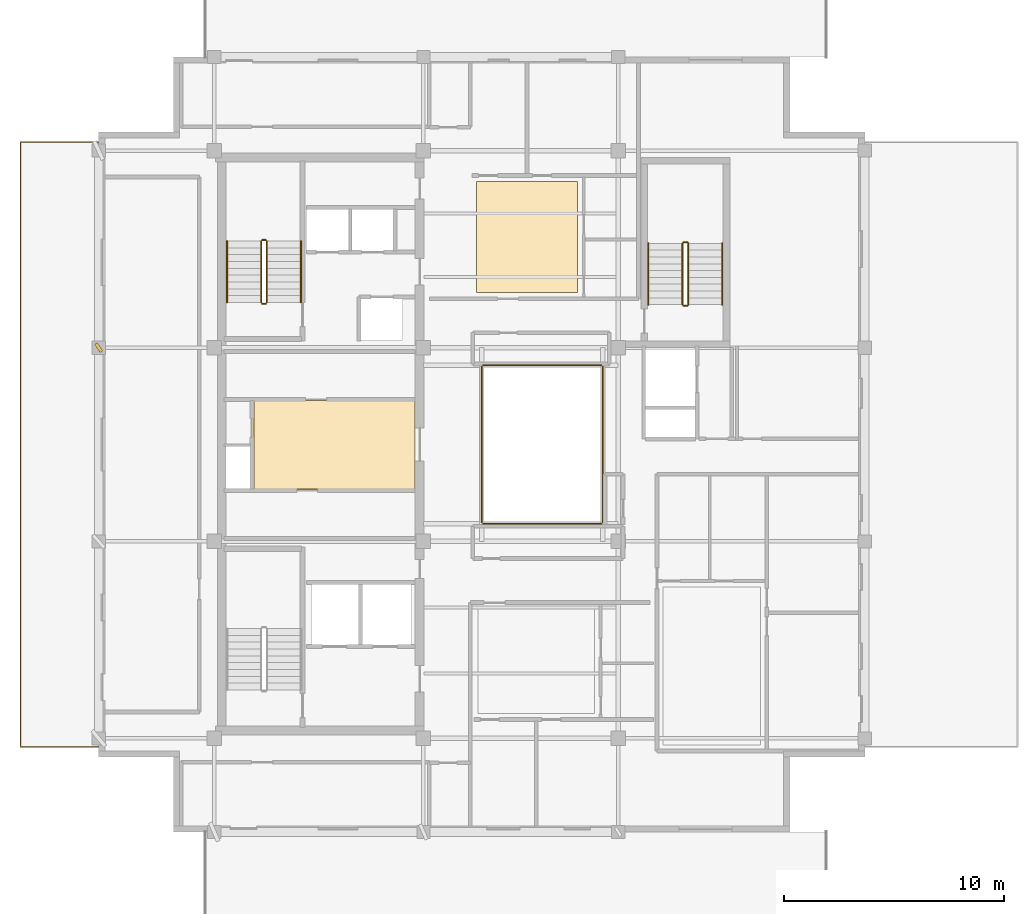
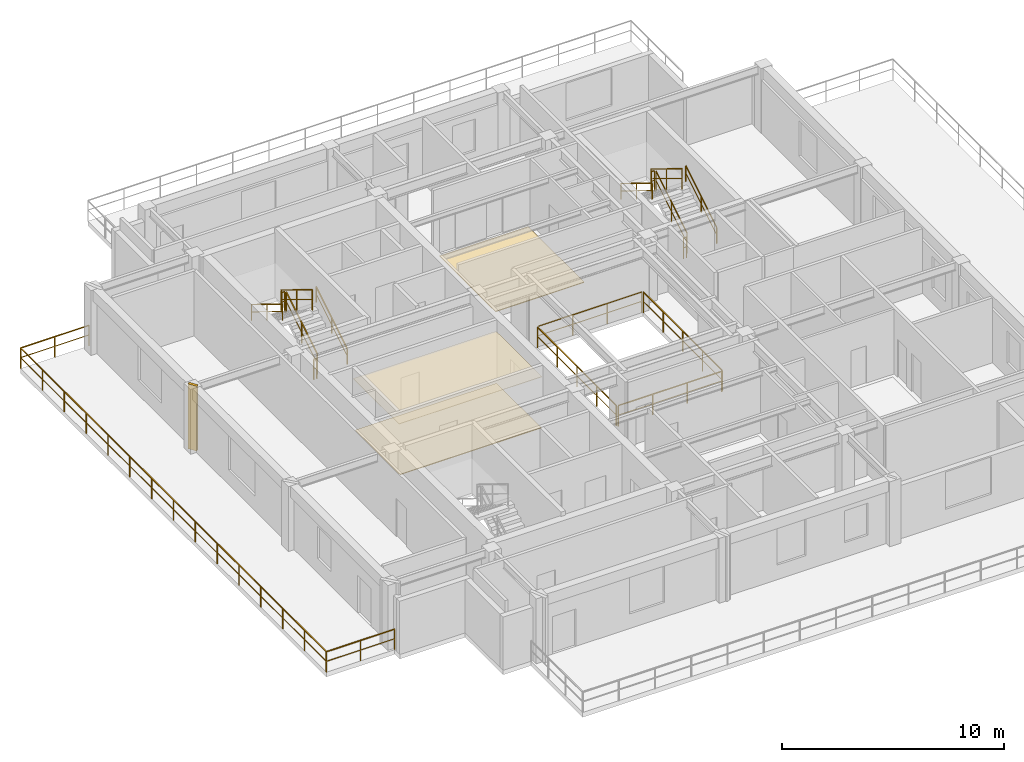
# One storey, part 8 of 9: 17 railings, 3 coverings, 1 shading device.
"""IFC4 building model written with IfcOpenShell, lengths in metres."""

from ifc_helpers import new_model, si_unit, direction, frame, origin, origin_2d, place, context, subcontext, project, spatial, polyline, rectangle, outline, extrude, material, layer, layer_set, type_object, element, save


model = new_model("IFC4")

# Units and contexts
model_context = context("Model", 3, precision=1e-05, world=origin(), true_north=direction((0.0, 1.0)))
body_context = subcontext(model_context, "Body", "Model", "MODEL_VIEW")
ifc_project = project(units=[si_unit("LENGTHUNIT", "METRE"), si_unit("AREAUNIT", "SQUARE_METRE"), si_unit("VOLUMEUNIT", "CUBIC_METRE"), si_unit("PLANEANGLEUNIT", "RADIAN"), si_unit("MASSUNIT", "GRAM", prefix="KILO")], contexts=[model_context])

# Site, building, storey
site_placement = place(None, origin())
site = spatial("IfcSite", under=ifc_project, at=site_placement, CompositionType="ELEMENT")
building_placement = place(site_placement, origin())
building = spatial("IfcBuilding", under=site, at=building_placement, Name="Kundavana Baori Tower", CompositionType="ELEMENT")
storey_placement = place(building_placement, frame((0.0, 0.0, 327.699951171875)))
storey = spatial("IfcBuildingStorey", under=building, at=storey_placement, Name="L81", CompositionType="ELEMENT", Elevation=327.699951171875)

# Coverings
ifc_material_1 = material(Name="Honed Kota Stone and Terrazzo Flooring", Category="masonry")
ifc_layer_1 = layer(ifc_material_1, 0.0400390625, Name="COV-FLR-TERR-40")
ifc_layer_set_1 = layer_set([ifc_layer_1], Name="Honed Kota Stone and Terrazzo Flooring")
covering_type_1 = type_object("IfcCoveringType", Name="COV-FLR-TERR-40", PredefinedType="FLOORING", material=ifc_layer_set_1)
covering_1_placement = place(storey_placement, origin())
element("IfcCovering", 1, at=covering_1_placement, inside=storey, type_object=covering_type_1, Name="L81 Room Finished Stone Flooring 2", PredefinedType="FLOORING", context=body_context, shape_type="SweptSolid", body=[
    extrude(outline(polyline([(27.360107421875, 35.5), (31.9599609375, 35.5), (31.9599609375, 40.5400390625), (27.360107421875, 40.5400390625), (27.360107421875, 35.5)])), origin(), (0.0, 0.0, 1.0), 0.0400390625),
])
covering_2_placement = place(storey_placement, origin())
element("IfcCovering", 2, at=covering_2_placement, inside=storey, type_object=covering_type_1, Name="L81 Core Lift Lobby Kota Stone Flooring", PredefinedType="FLOORING", context=body_context, shape_type="SweptSolid", body=[
    extrude(outline(polyline([(17.25, 26.580078125), (24.580078125, 26.580078125), (24.580078125, 30.60009765625), (17.25, 30.60009765625), (17.25, 26.580078125)])), origin(), (0.0, 0.0, 1.0), 0.0400390625),
])
ifc_material_2 = material(Name="Perforated Acoustic Mineral Fibre Ceiling Board")
ifc_layer_2 = layer(ifc_material_2, 0.02490234375, Name="COV-INT-CEIL")
ifc_layer_set_2 = layer_set([ifc_layer_2], Name="Perforated Acoustic Mineral Fibre Ceiling Board")
covering_type_2 = type_object("IfcCoveringType", Name="COV-INT-CEIL", PredefinedType="CEILING", material=ifc_layer_set_2)
covering_3_placement = place(storey_placement, frame((0.0, 0.0, 2.85009765625)))
element("IfcCovering", 3, at=covering_3_placement, inside=storey, type_object=covering_type_2, Name="L81 Core Lift Lobby Acoustic Ceiling", PredefinedType="CEILING", context=body_context, shape_type="SweptSolid", body=[
    extrude(outline(polyline([(17.159912109375, 26.52001953125), (24.580078125, 26.52001953125), (24.580078125, 30.639892578125), (17.159912109375, 30.639892578125), (17.159912109375, 26.52001953125)])), origin(), (0.0, 0.0, 1.0), 0.02490234375),
])

# Railings
ifc_material_3 = material(Name="Architectural Patinated Bronze Metalwork")
railing_type_1 = type_object("IfcRailingType", Name="RL-BAL-1150", PredefinedType="BALUSTRADE", material=ifc_material_3)
railing_1_placement = place(storey_placement, frame((10.199951171875, 14.85009765625, 0.0)))
element("IfcRailing", 4, at=railing_1_placement, inside=storey, type_object=railing_type_1, Name="L81 Sky Terrace Guard Balustrade W", PredefinedType="BALUSTRADE", context=body_context, shape_type="SweptSolid", body=[
    extrude(rectangle(XDim=0.048095703125, YDim=0.048095703125, at=origin_2d()), frame((0.0, 0.0, 1.1259765625), z_axis=(-1.0, 0.0, 0.0), x_axis=(0.0, -1.0, 0.0)), (0.0, 0.0, 1.0), 3.550048828125),
    extrude(rectangle(XDim=0.03125, YDim=0.03125, at=origin_2d()), frame((0.0, 0.0, 0.597900390625), z_axis=(-1.0, 0.0, 0.0), x_axis=(0.0, -1.0, 0.0)), (0.0, 0.0, 1.0), 3.550048828125),
    extrude(rectangle(XDim=0.048095703125, YDim=0.048095703125, at=origin_2d()), frame((-3.550048828125, 0.0, 1.1259765625), z_axis=(0.0, 1.0, 0.0), x_axis=(-1.0, 0.0, 0.0)), (0.0, 0.0, 1.0), 27.5),
    extrude(rectangle(XDim=0.03125, YDim=0.03125, at=origin_2d()), frame((-3.550048828125, 0.0, 0.597900390625), z_axis=(0.0, 1.0, 0.0), x_axis=(-1.0, 0.0, 0.0)), (0.0, 0.0, 1.0), 27.5),
    extrude(rectangle(XDim=0.048095703125, YDim=0.048095703125, at=origin_2d()), frame((-3.550048828125, 27.5, 1.1259765625), z_axis=(1.0, 0.0, 0.0), x_axis=(0.0, 1.0, 0.0)), (0.0, 0.0, 1.0), 3.550048828125),
    extrude(rectangle(XDim=0.03125, YDim=0.03125, at=origin_2d()), frame((-3.550048828125, 27.5, 0.597900390625), z_axis=(1.0, 0.0, 0.0), x_axis=(0.0, 1.0, 0.0)), (0.0, 0.0, 1.0), 3.550048828125),
    extrude(rectangle(XDim=0.0419921875, YDim=0.0419921875, at=origin_2d()), origin(), (0.0, 0.0, 1.0), 1.101806640625),
    extrude(rectangle(XDim=0.0419921875, YDim=0.0419921875, at=origin_2d()), frame((-1.77490234375, 0.0, 0.0)), (0.0, 0.0, 1.0), 1.101806640625),
    extrude(rectangle(XDim=0.0419921875, YDim=0.0419921875, at=origin_2d()), frame((-3.550048828125, 0.0, 0.0)), (0.0, 0.0, 1.0), 1.101806640625),
    extrude(rectangle(XDim=0.0419921875, YDim=0.0419921875, at=origin_2d()), frame((-3.550048828125, 1.96435546875, 0.0)), (0.0, 0.0, 1.0), 1.101806640625),
    extrude(rectangle(XDim=0.0419921875, YDim=0.0419921875, at=origin_2d()), frame((-3.550048828125, 3.928466796875, 0.0)), (0.0, 0.0, 1.0), 1.101806640625),
    extrude(rectangle(XDim=0.0419921875, YDim=0.0419921875, at=origin_2d()), frame((-3.550048828125, 5.892822265625, 0.0)), (0.0, 0.0, 1.0), 1.101806640625),
    extrude(rectangle(XDim=0.0419921875, YDim=0.0419921875, at=origin_2d()), frame((-3.550048828125, 7.857177734375, 0.0)), (0.0, 0.0, 1.0), 1.101806640625),
    extrude(rectangle(XDim=0.0419921875, YDim=0.0419921875, at=origin_2d()), frame((-3.550048828125, 9.821533203125, 0.0)), (0.0, 0.0, 1.0), 1.101806640625),
    extrude(rectangle(XDim=0.0419921875, YDim=0.0419921875, at=origin_2d()), frame((-3.550048828125, 11.78564453125, 0.0)), (0.0, 0.0, 1.0), 1.101806640625),
    extrude(rectangle(XDim=0.0419921875, YDim=0.0419921875, at=origin_2d()), frame((-3.550048828125, 13.75, 0.0)), (0.0, 0.0, 1.0), 1.101806640625),
    extrude(rectangle(XDim=0.0419921875, YDim=0.0419921875, at=origin_2d()), frame((-3.550048828125, 15.71435546875, 0.0)), (0.0, 0.0, 1.0), 1.101806640625),
    extrude(rectangle(XDim=0.0419921875, YDim=0.0419921875, at=origin_2d()), frame((-3.550048828125, 17.678466796875, 0.0)), (0.0, 0.0, 1.0), 1.101806640625),
    extrude(rectangle(XDim=0.0419921875, YDim=0.0419921875, at=origin_2d()), frame((-3.550048828125, 19.642822265625, 0.0)), (0.0, 0.0, 1.0), 1.101806640625),
    extrude(rectangle(XDim=0.0419921875, YDim=0.0419921875, at=origin_2d()), frame((-3.550048828125, 21.607177734375, 0.0)), (0.0, 0.0, 1.0), 1.101806640625),
    extrude(rectangle(XDim=0.0419921875, YDim=0.0419921875, at=origin_2d()), frame((-3.550048828125, 23.571533203125, 0.0)), (0.0, 0.0, 1.0), 1.101806640625),
    extrude(rectangle(XDim=0.0419921875, YDim=0.0419921875, at=origin_2d()), frame((-3.550048828125, 25.53564453125, 0.0)), (0.0, 0.0, 1.0), 1.101806640625),
    extrude(rectangle(XDim=0.0419921875, YDim=0.0419921875, at=origin_2d()), frame((-3.550048828125, 27.5, 0.0)), (0.0, 0.0, 1.0), 1.101806640625),
    extrude(rectangle(XDim=0.0419921875, YDim=0.0419921875, at=origin_2d()), frame((-1.77490234375, 27.5, 0.0)), (0.0, 0.0, 1.0), 1.101806640625),
    extrude(rectangle(XDim=0.0419921875, YDim=0.0419921875, at=origin_2d()), frame((0.0, 27.5, 0.0)), (0.0, 0.0, 1.0), 1.101806640625),
])
ifc_material_4 = material(Name="Architectural Patinated Bronze Metalwork")
railing_type_2 = type_object("IfcRailingType", Name="RL-GRD-1150", PredefinedType="GUARDRAIL", material=ifc_material_4)
railing_2_placement = place(storey_placement, frame((17.840087890625, 35.050048828125, 0.18994140625)))
element("IfcRailing", 5, at=railing_2_placement, inside=storey, type_object=railing_type_2, Name="L81 ST2 stair guard 1", PredefinedType="GUARDRAIL", context=body_context, shape_type="SweptSolid", body=[
    extrude(rectangle(XDim=0.048095703125, YDim=0.048095703125, at=origin_2d()), frame((0.0, 0.0, 1.1259765625), z_axis=(0.0, 0.852576590321, 0.522602293945), x_axis=(-1.0, 0.0, 0.0)), (0.0, 0.0, 1.0), 3.2724609375),
    extrude(rectangle(XDim=0.03125, YDim=0.03125, at=origin_2d()), frame((0.0, 0.0, 0.597900390625), z_axis=(0.0, 0.852576590321, 0.522602293945), x_axis=(-1.0, 0.0, 0.0)), (0.0, 0.0, 1.0), 3.2724609375),
    extrude(rectangle(XDim=0.0419921875, YDim=0.0419921875, at=origin_2d()), origin(), (0.0, 0.0, 1.0), 1.101806640625),
    extrude(rectangle(XDim=0.0419921875, YDim=0.0419921875, at=origin_2d()), frame((0.0, 1.39501953125, 0.85498046875)), (0.0, 0.0, 1.0), 1.101806640625),
    extrude(rectangle(XDim=0.0419921875, YDim=0.0419921875, at=origin_2d()), frame((0.0, 2.7900390625, 1.710205078125)), (0.0, 0.0, 1.0), 1.101806640625),
])
railing_3_placement = place(storey_placement, frame((17.7900390625, 37.889892578125, 1.900146484375)))
element("IfcRailing", 6, at=railing_3_placement, inside=storey, type_object=railing_type_2, Name="L81 ST2 stair guard 2", PredefinedType="GUARDRAIL", context=body_context, shape_type="SweptSolid", body=[
    extrude(rectangle(XDim=0.048095703125, YDim=0.048095703125, at=origin_2d()), frame((0.0, 0.0, 1.1259765625), z_axis=(-1.0, 0.0, 0.0), x_axis=(0.0, -1.0, 0.0)), (0.0, 0.0, 1.0), 0.16015625),
    extrude(rectangle(XDim=0.03125, YDim=0.03125, at=origin_2d()), frame((0.0, 0.0, 0.597900390625), z_axis=(-1.0, 0.0, 0.0), x_axis=(0.0, -1.0, 0.0)), (0.0, 0.0, 1.0), 0.16015625),
    extrude(rectangle(XDim=0.0419921875, YDim=0.0419921875, at=origin_2d()), origin(), (0.0, 0.0, 1.0), 1.101806640625),
    extrude(rectangle(XDim=0.0419921875, YDim=0.0419921875, at=origin_2d()), frame((-0.16015625, 0.0, 0.0)), (0.0, 0.0, 1.0), 1.101806640625),
])
railing_4_placement = place(storey_placement, frame((17.580078125, 37.840087890625, 2.090087890625)))
element("IfcRailing", 7, at=railing_4_placement, inside=storey, type_object=railing_type_2, Name="L81 ST2 stair guard 3", PredefinedType="GUARDRAIL", context=body_context, shape_type="SweptSolid", body=[
    extrude(rectangle(XDim=0.048095703125, YDim=0.048095703125, at=origin_2d()), frame((0.0, 0.0, 1.1259765625), z_axis=(0.0, -0.852609830418, 0.522548061975), x_axis=(1.0, 0.0, 0.0)), (0.0, 0.0, 1.0), 3.2724609375),
    extrude(rectangle(XDim=0.03125, YDim=0.03125, at=origin_2d()), frame((0.0, 0.0, 0.597900390625), z_axis=(0.0, -0.852609830418, 0.522548061975), x_axis=(1.0, 0.0, 0.0)), (0.0, 0.0, 1.0), 3.2724609375),
    extrude(rectangle(XDim=0.0419921875, YDim=0.0419921875, at=origin_2d()), origin(), (0.0, 0.0, 1.0), 1.101806640625),
    extrude(rectangle(XDim=0.0419921875, YDim=0.0419921875, at=origin_2d()), frame((0.0, -1.39501953125, 0.85498046875)), (0.0, 0.0, 1.0), 1.101806640625),
    extrude(rectangle(XDim=0.0419921875, YDim=0.0419921875, at=origin_2d()), frame((0.0, -2.7900390625, 1.7099609375)), (0.0, 0.0, 1.0), 1.101806640625),
])
railing_5_placement = place(storey_placement, frame((17.7900390625, 35.0, 0.0)))
element("IfcRailing", 8, at=railing_5_placement, inside=storey, type_object=railing_type_2, Name="L81 ST2 stair guard 4", PredefinedType="GUARDRAIL", context=body_context, shape_type="SweptSolid", body=[
    extrude(rectangle(XDim=0.048095703125, YDim=0.048095703125, at=origin_2d()), frame((0.0, 0.0, 1.1259765625), z_axis=(-1.0, 0.0, 0.0), x_axis=(0.0, -1.0, 0.0)), (0.0, 0.0, 1.0), 0.16015625),
    extrude(rectangle(XDim=0.03125, YDim=0.03125, at=origin_2d()), frame((0.0, 0.0, 0.597900390625), z_axis=(-1.0, 0.0, 0.0), x_axis=(0.0, -1.0, 0.0)), (0.0, 0.0, 1.0), 0.16015625),
    extrude(rectangle(XDim=0.0419921875, YDim=0.0419921875, at=origin_2d()), origin(), (0.0, 0.0, 1.0), 1.101806640625),
    extrude(rectangle(XDim=0.0419921875, YDim=0.0419921875, at=origin_2d()), frame((-0.16015625, 0.0, 0.0)), (0.0, 0.0, 1.0), 1.101806640625),
])
railing_6_placement = place(storey_placement, frame((36.97998046875, 34.949951171875, 0.18994140625)))
element("IfcRailing", 9, at=railing_6_placement, inside=storey, type_object=railing_type_2, Name="L81 ST3 stair guard 1", PredefinedType="GUARDRAIL", context=body_context, shape_type="SweptSolid", body=[
    extrude(rectangle(XDim=0.048095703125, YDim=0.048095703125, at=origin_2d()), frame((0.0, 0.0, 1.1259765625), z_axis=(0.0, 0.852576590321, 0.522602293945), x_axis=(-1.0, 0.0, 0.0)), (0.0, 0.0, 1.0), 3.2724609375),
    extrude(rectangle(XDim=0.03125, YDim=0.03125, at=origin_2d()), frame((0.0, 0.0, 0.597900390625), z_axis=(0.0, 0.852576590321, 0.522602293945), x_axis=(-1.0, 0.0, 0.0)), (0.0, 0.0, 1.0), 3.2724609375),
    extrude(rectangle(XDim=0.0419921875, YDim=0.0419921875, at=origin_2d()), origin(), (0.0, 0.0, 1.0), 1.101806640625),
    extrude(rectangle(XDim=0.0419921875, YDim=0.0419921875, at=origin_2d()), frame((0.0, 1.39501953125, 0.85498046875)), (0.0, 0.0, 1.0), 1.101806640625),
    extrude(rectangle(XDim=0.0419921875, YDim=0.0419921875, at=origin_2d()), frame((0.0, 2.7900390625, 1.710205078125)), (0.0, 0.0, 1.0), 1.101806640625),
])
railing_7_placement = place(storey_placement, frame((36.929931640625, 37.7900390625, 1.900146484375)))
element("IfcRailing", 10, at=railing_7_placement, inside=storey, type_object=railing_type_2, Name="L81 ST3 stair guard 2", PredefinedType="GUARDRAIL", context=body_context, shape_type="SweptSolid", body=[
    extrude(rectangle(XDim=0.048095703125, YDim=0.048095703125, at=origin_2d()), frame((0.0, 0.0, 1.1259765625), z_axis=(-1.0, 0.0, 0.0), x_axis=(0.0, -1.0, 0.0)), (0.0, 0.0, 1.0), 0.159912109375),
    extrude(rectangle(XDim=0.03125, YDim=0.03125, at=origin_2d()), frame((0.0, 0.0, 0.597900390625), z_axis=(-1.0, 0.0, 0.0), x_axis=(0.0, -1.0, 0.0)), (0.0, 0.0, 1.0), 0.159912109375),
    extrude(rectangle(XDim=0.0419921875, YDim=0.0419921875, at=origin_2d()), origin(), (0.0, 0.0, 1.0), 1.101806640625),
    extrude(rectangle(XDim=0.0419921875, YDim=0.0419921875, at=origin_2d()), frame((-0.159912109375, 0.0, 0.0)), (0.0, 0.0, 1.0), 1.101806640625),
])
railing_8_placement = place(storey_placement, frame((36.719970703125, 37.739990234375, 2.090087890625)))
element("IfcRailing", 11, at=railing_8_placement, inside=storey, type_object=railing_type_2, Name="L81 ST3 stair guard 3", PredefinedType="GUARDRAIL", context=body_context, shape_type="SweptSolid", body=[
    extrude(rectangle(XDim=0.048095703125, YDim=0.048095703125, at=origin_2d()), frame((0.0, 0.0, 1.1259765625), z_axis=(0.0, -0.852609830418, 0.522548061975), x_axis=(1.0, 0.0, 0.0)), (0.0, 0.0, 1.0), 3.2724609375),
    extrude(rectangle(XDim=0.03125, YDim=0.03125, at=origin_2d()), frame((0.0, 0.0, 0.597900390625), z_axis=(0.0, -0.852609830418, 0.522548061975), x_axis=(1.0, 0.0, 0.0)), (0.0, 0.0, 1.0), 3.2724609375),
    extrude(rectangle(XDim=0.0419921875, YDim=0.0419921875, at=origin_2d()), origin(), (0.0, 0.0, 1.0), 1.101806640625),
    extrude(rectangle(XDim=0.0419921875, YDim=0.0419921875, at=origin_2d()), frame((0.0, -1.39501953125, 0.85498046875)), (0.0, 0.0, 1.0), 1.101806640625),
    extrude(rectangle(XDim=0.0419921875, YDim=0.0419921875, at=origin_2d()), frame((0.0, -2.7900390625, 1.7099609375)), (0.0, 0.0, 1.0), 1.101806640625),
])
railing_9_placement = place(storey_placement, frame((36.929931640625, 34.89990234375, 0.0)))
element("IfcRailing", 12, at=railing_9_placement, inside=storey, type_object=railing_type_2, Name="L81 ST3 stair guard 4", PredefinedType="GUARDRAIL", context=body_context, shape_type="SweptSolid", body=[
    extrude(rectangle(XDim=0.048095703125, YDim=0.048095703125, at=origin_2d()), frame((0.0, 0.0, 1.1259765625), z_axis=(-1.0, 0.0, 0.0), x_axis=(0.0, -1.0, 0.0)), (0.0, 0.0, 1.0), 0.159912109375),
    extrude(rectangle(XDim=0.03125, YDim=0.03125, at=origin_2d()), frame((0.0, 0.0, 0.597900390625), z_axis=(-1.0, 0.0, 0.0), x_axis=(0.0, -1.0, 0.0)), (0.0, 0.0, 1.0), 0.159912109375),
    extrude(rectangle(XDim=0.0419921875, YDim=0.0419921875, at=origin_2d()), origin(), (0.0, 0.0, 1.0), 1.101806640625),
    extrude(rectangle(XDim=0.0419921875, YDim=0.0419921875, at=origin_2d()), frame((-0.159912109375, 0.0, 0.0)), (0.0, 0.0, 1.0), 1.101806640625),
])
railing_10_placement = place(storey_placement, frame((27.659912109375, 25.0, 0.0)))
element("IfcRailing", 13, at=railing_10_placement, inside=storey, type_object=railing_type_2, Name="L81 Atrium Void Perimeter Guardrail S", PredefinedType="GUARDRAIL", context=body_context, shape_type="SweptSolid", body=[
    extrude(rectangle(XDim=0.048095703125, YDim=0.048095703125, at=origin_2d()), frame((0.0, 0.0, 1.1259765625), z_axis=(1.0, 0.0, 0.0), x_axis=(0.0, 1.0, 0.0)), (0.0, 0.0, 1.0), 5.380126953125),
    extrude(rectangle(XDim=0.03125, YDim=0.03125, at=origin_2d()), frame((0.0, 0.0, 0.597900390625), z_axis=(1.0, 0.0, 0.0), x_axis=(0.0, 1.0, 0.0)), (0.0, 0.0, 1.0), 5.380126953125),
    extrude(rectangle(XDim=0.0419921875, YDim=0.0419921875, at=origin_2d()), origin(), (0.0, 0.0, 1.0), 1.101806640625),
    extrude(rectangle(XDim=0.0419921875, YDim=0.0419921875, at=origin_2d()), frame((1.79345703125, 0.0, 0.0)), (0.0, 0.0, 1.0), 1.101806640625),
    extrude(rectangle(XDim=0.0419921875, YDim=0.0419921875, at=origin_2d()), frame((3.586669921875, 0.0, 0.0)), (0.0, 0.0, 1.0), 1.101806640625),
    extrude(rectangle(XDim=0.0419921875, YDim=0.0419921875, at=origin_2d()), frame((5.380126953125, 0.0, 0.0)), (0.0, 0.0, 1.0), 1.101806640625),
])
railing_11_placement = place(storey_placement, frame((33.10009765625, 25.06005859375, 0.0)))
element("IfcRailing", 14, at=railing_11_placement, inside=storey, type_object=railing_type_2, Name="L81 Atrium Void Perimeter Guardrail E", PredefinedType="GUARDRAIL", context=body_context, shape_type="SweptSolid", body=[
    extrude(rectangle(XDim=0.048095703125, YDim=0.048095703125, at=origin_2d()), frame((0.0, 0.0, 1.1259765625), z_axis=(0.0, 1.0, 0.0), x_axis=(-1.0, 0.0, 0.0)), (0.0, 0.0, 1.0), 7.079833984375),
    extrude(rectangle(XDim=0.03125, YDim=0.03125, at=origin_2d()), frame((0.0, 0.0, 0.597900390625), z_axis=(0.0, 1.0, 0.0), x_axis=(-1.0, 0.0, 0.0)), (0.0, 0.0, 1.0), 7.079833984375),
    extrude(rectangle(XDim=0.0419921875, YDim=0.0419921875, at=origin_2d()), origin(), (0.0, 0.0, 1.0), 1.101806640625),
    extrude(rectangle(XDim=0.0419921875, YDim=0.0419921875, at=origin_2d()), frame((0.0, 1.77001953125, 0.0)), (0.0, 0.0, 1.0), 1.101806640625),
    extrude(rectangle(XDim=0.0419921875, YDim=0.0419921875, at=origin_2d()), frame((0.0, 3.5400390625, 0.0)), (0.0, 0.0, 1.0), 1.101806640625),
    extrude(rectangle(XDim=0.0419921875, YDim=0.0419921875, at=origin_2d()), frame((0.0, 5.309814453125, 0.0)), (0.0, 0.0, 1.0), 1.101806640625),
    extrude(rectangle(XDim=0.0419921875, YDim=0.0419921875, at=origin_2d()), frame((0.0, 7.079833984375, 0.0)), (0.0, 0.0, 1.0), 1.101806640625),
])
railing_12_placement = place(storey_placement, frame((33.0400390625, 32.199951171875, 0.0)))
element("IfcRailing", 15, at=railing_12_placement, inside=storey, type_object=railing_type_2, Name="L81 Atrium Void Perimeter Guardrail N", PredefinedType="GUARDRAIL", context=body_context, shape_type="SweptSolid", body=[
    extrude(rectangle(XDim=0.048095703125, YDim=0.048095703125, at=origin_2d()), frame((0.0, 0.0, 1.1259765625), z_axis=(-1.0, 0.0, 0.0), x_axis=(0.0, -1.0, 0.0)), (0.0, 0.0, 1.0), 5.380126953125),
    extrude(rectangle(XDim=0.03125, YDim=0.03125, at=origin_2d()), frame((0.0, 0.0, 0.597900390625), z_axis=(-1.0, 0.0, 0.0), x_axis=(0.0, -1.0, 0.0)), (0.0, 0.0, 1.0), 5.380126953125),
    extrude(rectangle(XDim=0.0419921875, YDim=0.0419921875, at=origin_2d()), origin(), (0.0, 0.0, 1.0), 1.101806640625),
    extrude(rectangle(XDim=0.0419921875, YDim=0.0419921875, at=origin_2d()), frame((-1.79345703125, 0.0, 0.0)), (0.0, 0.0, 1.0), 1.101806640625),
    extrude(rectangle(XDim=0.0419921875, YDim=0.0419921875, at=origin_2d()), frame((-3.586669921875, 0.0, 0.0)), (0.0, 0.0, 1.0), 1.101806640625),
    extrude(rectangle(XDim=0.0419921875, YDim=0.0419921875, at=origin_2d()), frame((-5.380126953125, 0.0, 0.0)), (0.0, 0.0, 1.0), 1.101806640625),
])
railing_13_placement = place(storey_placement, frame((27.60009765625, 32.139892578125, 0.0)))
element("IfcRailing", 16, at=railing_13_placement, inside=storey, type_object=railing_type_2, Name="L81 Atrium Void Perimeter Guardrail W", PredefinedType="GUARDRAIL", context=body_context, shape_type="SweptSolid", body=[
    extrude(rectangle(XDim=0.048095703125, YDim=0.048095703125, at=origin_2d()), frame((0.0, 0.0, 1.1259765625), z_axis=(0.0, -1.0, 0.0), x_axis=(1.0, 0.0, 0.0)), (0.0, 0.0, 1.0), 7.079833984375),
    extrude(rectangle(XDim=0.03125, YDim=0.03125, at=origin_2d()), frame((0.0, 0.0, 0.597900390625), z_axis=(0.0, -1.0, 0.0), x_axis=(1.0, 0.0, 0.0)), (0.0, 0.0, 1.0), 7.079833984375),
    extrude(rectangle(XDim=0.0419921875, YDim=0.0419921875, at=origin_2d()), origin(), (0.0, 0.0, 1.0), 1.101806640625),
    extrude(rectangle(XDim=0.0419921875, YDim=0.0419921875, at=origin_2d()), frame((0.0, -1.77001953125, 0.0)), (0.0, 0.0, 1.0), 1.101806640625),
    extrude(rectangle(XDim=0.0419921875, YDim=0.0419921875, at=origin_2d()), frame((0.0, -3.5400390625, 0.0)), (0.0, 0.0, 1.0), 1.101806640625),
    extrude(rectangle(XDim=0.0419921875, YDim=0.0419921875, at=origin_2d()), frame((0.0, -5.309814453125, 0.0)), (0.0, 0.0, 1.0), 1.101806640625),
    extrude(rectangle(XDim=0.0419921875, YDim=0.0419921875, at=origin_2d()), frame((0.0, -7.079833984375, 0.0)), (0.0, 0.0, 1.0), 1.101806640625),
])
ifc_material_5 = material(Name="Architectural Patinated Bronze Metalwork")
railing_type_3 = type_object("IfcRailingType", Name="RL-HND-920", PredefinedType="HANDRAIL", material=ifc_material_5)
railing_14_placement = place(storey_placement, frame((19.389892578125, 35.050048828125, 0.18994140625)))
element("IfcRailing", 17, at=railing_14_placement, inside=storey, type_object=railing_type_3, Name="L81 ST2 stair handrail 1", PredefinedType="HANDRAIL", context=body_context, shape_type="SweptSolid", body=[
    extrude(rectangle(XDim=0.048095703125, YDim=0.048095703125, at=origin_2d()), frame((0.0, 0.0, 0.8759765625), z_axis=(0.0, 0.852576590321, 0.522602293945), x_axis=(-1.0, 0.0, 0.0)), (0.0, 0.0, 1.0), 3.2724609375),
    extrude(rectangle(XDim=0.03125, YDim=0.03125, at=origin_2d()), frame((0.0, 0.0, 0.468017578125), z_axis=(0.0, 0.852576590321, 0.522602293945), x_axis=(-1.0, 0.0, 0.0)), (0.0, 0.0, 1.0), 3.2724609375),
    extrude(rectangle(XDim=0.0419921875, YDim=0.0419921875, at=origin_2d()), origin(), (0.0, 0.0, 1.0), 0.851806640625),
    extrude(rectangle(XDim=0.0419921875, YDim=0.0419921875, at=origin_2d()), frame((0.0, 1.39501953125, 0.85498046875)), (0.0, 0.0, 1.0), 0.851806640625),
    extrude(rectangle(XDim=0.0419921875, YDim=0.0419921875, at=origin_2d()), frame((0.0, 2.7900390625, 1.710205078125)), (0.0, 0.0, 1.0), 0.851806640625),
])
railing_15_placement = place(storey_placement, frame((16.030029296875, 37.840087890625, 2.090087890625)))
element("IfcRailing", 18, at=railing_15_placement, inside=storey, type_object=railing_type_3, Name="L81 ST2 stair handrail 2", PredefinedType="HANDRAIL", context=body_context, shape_type="SweptSolid", body=[
    extrude(rectangle(XDim=0.048095703125, YDim=0.048095703125, at=origin_2d()), frame((0.0, 0.0, 0.8759765625), z_axis=(0.0, -0.852609830418, 0.522548061975), x_axis=(1.0, 0.0, 0.0)), (0.0, 0.0, 1.0), 3.2724609375),
    extrude(rectangle(XDim=0.03125, YDim=0.03125, at=origin_2d()), frame((0.0, 0.0, 0.468017578125), z_axis=(0.0, -0.852609830418, 0.522548061975), x_axis=(1.0, 0.0, 0.0)), (0.0, 0.0, 1.0), 3.2724609375),
    extrude(rectangle(XDim=0.0419921875, YDim=0.0419921875, at=origin_2d()), origin(), (0.0, 0.0, 1.0), 0.851806640625),
    extrude(rectangle(XDim=0.0419921875, YDim=0.0419921875, at=origin_2d()), frame((0.0, -1.39501953125, 0.85498046875)), (0.0, 0.0, 1.0), 0.851806640625),
    extrude(rectangle(XDim=0.0419921875, YDim=0.0419921875, at=origin_2d()), frame((0.0, -2.7900390625, 1.7099609375)), (0.0, 0.0, 1.0), 0.851806640625),
])
railing_16_placement = place(storey_placement, frame((38.530029296875, 34.949951171875, 0.18994140625)))
element("IfcRailing", 19, at=railing_16_placement, inside=storey, type_object=railing_type_3, Name="L81 ST3 stair handrail 1", PredefinedType="HANDRAIL", context=body_context, shape_type="SweptSolid", body=[
    extrude(rectangle(XDim=0.048095703125, YDim=0.048095703125, at=origin_2d()), frame((0.0, 0.0, 0.8759765625), z_axis=(0.0, 0.852576590321, 0.522602293945), x_axis=(-1.0, 0.0, 0.0)), (0.0, 0.0, 1.0), 3.2724609375),
    extrude(rectangle(XDim=0.03125, YDim=0.03125, at=origin_2d()), frame((0.0, 0.0, 0.468017578125), z_axis=(0.0, 0.852576590321, 0.522602293945), x_axis=(-1.0, 0.0, 0.0)), (0.0, 0.0, 1.0), 3.2724609375),
    extrude(rectangle(XDim=0.0419921875, YDim=0.0419921875, at=origin_2d()), origin(), (0.0, 0.0, 1.0), 0.851806640625),
    extrude(rectangle(XDim=0.0419921875, YDim=0.0419921875, at=origin_2d()), frame((0.0, 1.39501953125, 0.85498046875)), (0.0, 0.0, 1.0), 0.851806640625),
    extrude(rectangle(XDim=0.0419921875, YDim=0.0419921875, at=origin_2d()), frame((0.0, 2.7900390625, 1.710205078125)), (0.0, 0.0, 1.0), 0.851806640625),
])
railing_17_placement = place(storey_placement, frame((35.169921875, 37.739990234375, 2.090087890625)))
element("IfcRailing", 20, at=railing_17_placement, inside=storey, type_object=railing_type_3, Name="L81 ST3 stair handrail 2", PredefinedType="HANDRAIL", context=body_context, shape_type="SweptSolid", body=[
    extrude(rectangle(XDim=0.048095703125, YDim=0.048095703125, at=origin_2d()), frame((0.0, 0.0, 0.8759765625), z_axis=(0.0, -0.852609830418, 0.522548061975), x_axis=(1.0, 0.0, 0.0)), (0.0, 0.0, 1.0), 3.2724609375),
    extrude(rectangle(XDim=0.03125, YDim=0.03125, at=origin_2d()), frame((0.0, 0.0, 0.468017578125), z_axis=(0.0, -0.852609830418, 0.522548061975), x_axis=(1.0, 0.0, 0.0)), (0.0, 0.0, 1.0), 3.2724609375),
    extrude(rectangle(XDim=0.0419921875, YDim=0.0419921875, at=origin_2d()), origin(), (0.0, 0.0, 1.0), 0.851806640625),
    extrude(rectangle(XDim=0.0419921875, YDim=0.0419921875, at=origin_2d()), frame((0.0, -1.39501953125, 0.85498046875)), (0.0, 0.0, 1.0), 0.851806640625),
    extrude(rectangle(XDim=0.0419921875, YDim=0.0419921875, at=origin_2d()), frame((0.0, -2.7900390625, 1.7099609375)), (0.0, 0.0, 1.0), 0.851806640625),
])

# Shading device
ifc_material_6 = material(Name="Architectural Patinated Bronze Metalwork")
shading_device_type = type_object("IfcShadingDeviceType", Name="SHD-LOUV-450", PredefinedType="SHUTTER", material=ifc_material_6)
shading_device_placement = place(storey_placement, frame((10.199951171875, 33.0, 0.0), z_axis=(0.0, 0.0, 1.0), x_axis=(0.828451532652, 0.560060762816, 0.0)))
element("IfcShadingDevice", 21, at=shading_device_placement, inside=storey, type_object=shading_device_type, Name="L81 Sweeping Dholpur Sandstone Facade Fin 6", PredefinedType="SHUTTER", context=body_context, shape_type="SweptSolid", body=[
    extrude(rectangle(XDim=0.139892578125, YDim=0.449951171875, at=origin_2d()), origin(), (0.0, 0.0, 1.0), 3.56005859375),
])

save(model, "model.ifc")
